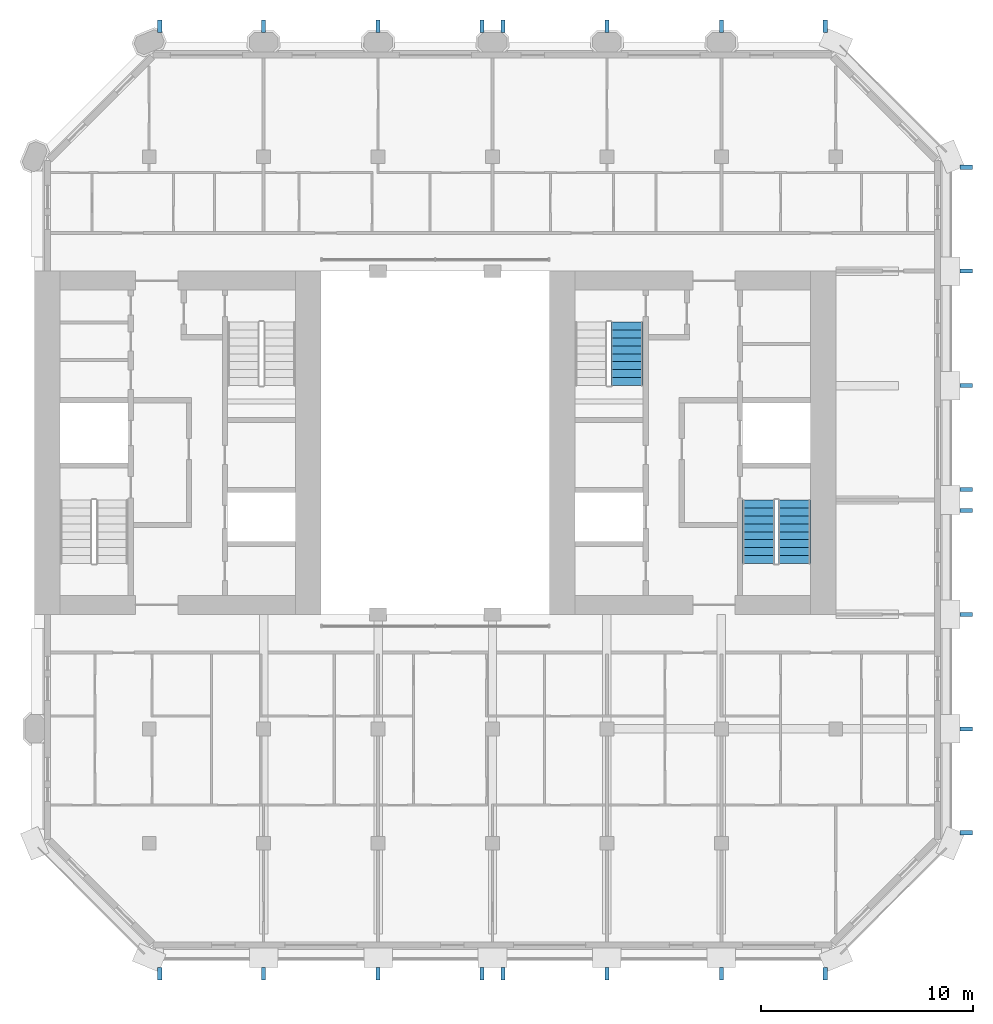
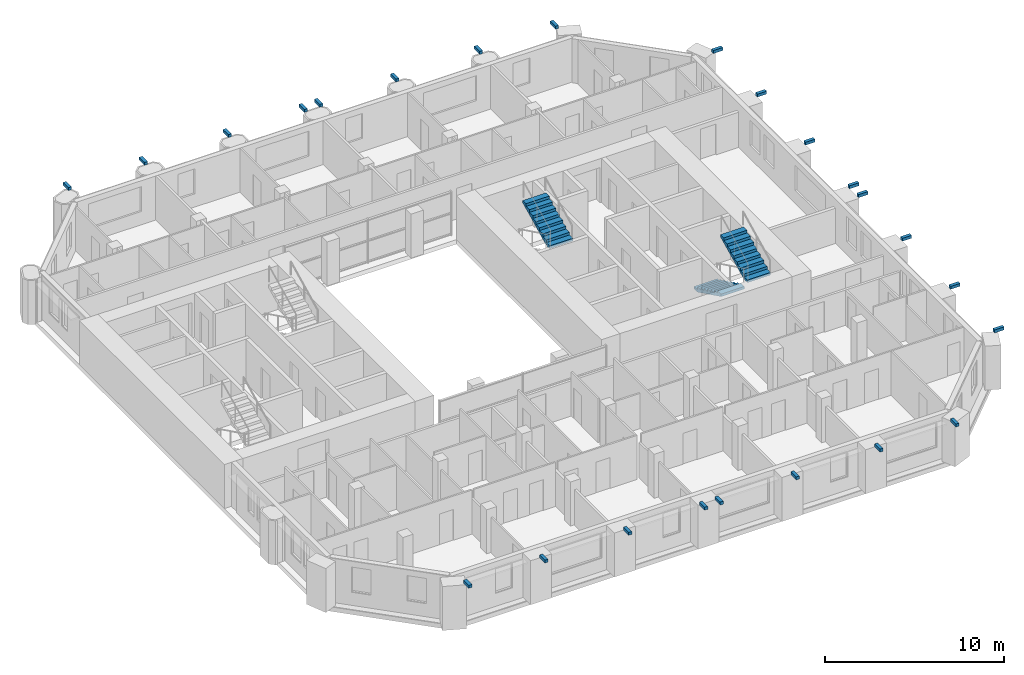
# One storey, part 12 of 14: 24 discrete accessories, 3 stair flights, 2 elements without a shape of their own.
"""IFC4 building model written with IfcOpenShell, lengths in metres."""

from ifc_helpers import new_model, si_unit, direction, frame, origin, origin_2d, place, context, subcontext, project, spatial, polyline, rectangle, outline, extrude, material, type_object, element, aggregate, save


model = new_model("IFC4")

# Units and contexts
model_context = context("Model", 3, precision=1e-05, world=origin(), true_north=direction((0.0, 1.0)))
body_context = subcontext(model_context, "Body", "Model", "MODEL_VIEW")
ifc_project = project(units=[si_unit("LENGTHUNIT", "METRE"), si_unit("AREAUNIT", "SQUARE_METRE"), si_unit("VOLUMEUNIT", "CUBIC_METRE"), si_unit("PLANEANGLEUNIT", "RADIAN"), si_unit("MASSUNIT", "GRAM", prefix="KILO")], contexts=[model_context])

# Site, building, storey
site_placement = place(None, origin())
site = spatial("IfcSite", under=ifc_project, at=site_placement, CompositionType="ELEMENT")
building_placement = place(site_placement, origin())
building = spatial("IfcBuilding", under=site, at=building_placement, Name="Tabaq Tower and Sports Hall", CompositionType="ELEMENT")
storey_placement = place(building_placement, frame((0.0, 0.0, 275.199951171875)))
storey = spatial("IfcBuildingStorey", under=building, at=storey_placement, Name="L67", CompositionType="ELEMENT", Elevation=275.199951171875)

# Stair, stair flights
ifc_material_1 = material(Name="Concrete C40/50", Category="concrete")
stair_type = type_object("IfcStairType", Name="Exit stair", PredefinedType="HALF_TURN_STAIR", material=ifc_material_1)
stair_1_placement = place(storey_placement, origin())
stair_1 = element("IfcStair", 1, at=stair_1_placement, inside=storey, type_object=stair_type, Name="L67 Exit stair ST3", PredefinedType="HALF_TURN_STAIR")
ifc_material_2 = material(Name="Concrete C40/50", Category="concrete")
stair_flight_type = type_object("IfcStairFlightType", Name="Exit stair flight", PredefinedType="STRAIGHT", material=ifc_material_2)
stair_flight_1_placement = place(storey_placement, frame((39.550048828125, 21.60009765625, 0.0), z_axis=(0.0, 0.0, 1.0), x_axis=(0.0, -1.0, 0.0)))
stair_flight_1 = element("IfcStairFlight", 2, at=stair_flight_1_placement, type_object=stair_flight_type, Name="ST3 flight 1", NumberOfRisers=9, NumberOfTreads=8, PredefinedType="STRAIGHT", RiserHeight=0.183333333, TreadLength=0.375, context=body_context, shape_type="SweptSolid", body=[
    extrude(outline(polyline([(0.0, 0.0), (0.0, 0.183349609375), (0.375, 0.183349609375), (0.375, 0.36669921875), (0.75, 0.36669921875), (0.75, 0.550048828125), (1.125, 0.550048828125), (1.125, 0.7333984375), (1.5, 0.7333984375), (1.5, 0.916748046875), (1.875, 0.916748046875), (1.875, 1.10009765625), (2.25, 1.10009765625), (2.25, 1.283447265625), (2.625, 1.283447265625), (2.625, 1.466552734375), (3.0, 1.466552734375), (3.0, 1.64990234375), (3.0, 1.2998046875), (0.34130859375, 0.0), (0.0, 0.0)])), frame((0.0, 0.75, 0.0), z_axis=(0.0, -1.0, 0.0), x_axis=(1.0, 0.0, 0.0)), (0.0, 0.0, 1.0), 1.5),
])
stair_flight_2_placement = place(storey_placement, frame((41.25, 18.60009765625, 1.650146484375), z_axis=(0.0, 0.0, 1.0), x_axis=(0.0, 1.0, 0.0)))
stair_flight_2 = element("IfcStairFlight", 3, at=stair_flight_2_placement, type_object=stair_flight_type, Name="ST3 flight 2", NumberOfRisers=9, NumberOfTreads=8, PredefinedType="STRAIGHT", RiserHeight=0.183333333, TreadLength=0.375, context=body_context, shape_type="SweptSolid", body=[
    extrude(outline(polyline([(0.0, 0.0), (0.0, 0.183349609375), (0.375, 0.183349609375), (0.375, 0.36669921875), (0.75, 0.36669921875), (0.75, 0.550048828125), (1.125, 0.550048828125), (1.125, 0.7333984375), (1.5, 0.7333984375), (1.5, 0.916748046875), (1.875, 0.916748046875), (1.875, 1.10009765625), (2.25, 1.10009765625), (2.25, 1.283447265625), (2.625, 1.283447265625), (2.625, 1.466552734375), (3.0, 1.466552734375), (3.0, 1.64990234375), (3.0, 1.2998046875), (0.34130859375, 0.0), (0.0, 0.0)])), frame((0.0, 0.75, 0.0), z_axis=(0.0, -1.0, 0.0), x_axis=(1.0, 0.0, 0.0)), (0.0, 0.0, 1.0), 1.5),
])
aggregate(stair_1, [stair_flight_1, stair_flight_2])

# Stair, stair flight
stair_2_placement = place(storey_placement, origin())
stair_2 = element("IfcStair", 4, at=stair_2_placement, inside=storey, type_object=stair_type, Name="L67 Exit stair ST4", PredefinedType="HALF_TURN_STAIR")
stair_flight_3_placement = place(storey_placement, frame((33.35009765625, 27.0, 1.650146484375), z_axis=(0.0, 0.0, 1.0), x_axis=(0.0, 1.0, 0.0)))
stair_flight_3 = element("IfcStairFlight", 5, at=stair_flight_3_placement, type_object=stair_flight_type, Name="ST4 flight 2", NumberOfRisers=9, NumberOfTreads=8, PredefinedType="STRAIGHT", RiserHeight=0.183333333, TreadLength=0.375, context=body_context, shape_type="SweptSolid", body=[
    extrude(outline(polyline([(0.0, 0.0), (0.0, 0.183349609375), (0.375, 0.183349609375), (0.375, 0.36669921875), (0.75, 0.36669921875), (0.75, 0.550048828125), (1.125, 0.550048828125), (1.125, 0.7333984375), (1.5, 0.7333984375), (1.5, 0.916748046875), (1.875, 0.916748046875), (1.875, 1.10009765625), (2.25, 1.10009765625), (2.25, 1.283447265625), (2.625, 1.283447265625), (2.625, 1.466552734375), (3.0, 1.466552734375), (3.0, 1.64990234375), (3.0, 1.2998046875), (0.34130859375, 0.0), (0.0, 0.0)])), frame((0.0, 0.75, 0.0), z_axis=(0.0, -1.0, 0.0), x_axis=(1.0, 0.0, 0.0)), (0.0, 0.0, 1.0), 1.5),
])
aggregate(stair_2, [stair_flight_3])

# Discrete accessories
for number, where, z_axis, x_axis, name in (
    (6, (11.300048828125, -0.75, 3.0), (0.0, 0.0, 1.0), (0.0, -1.0, 0.0), "Stainless steel bracket"),
    (7, (16.199951171875, -0.75, 3.0), (0.0, 0.0, 1.0), (0.0, -1.0, 0.0), "Stainless steel bracket"),
    (8, (21.60009765625, -0.75, 3.0), (0.0, 0.0, 1.0), (0.0, -1.0, 0.0), "Stainless steel bracket"),
    (9, (26.5, -0.75, 3.0), (0.0, 0.0, 1.0), (0.0, -1.0, 0.0), "Stainless steel bracket"),
    (10, (27.5, -0.75, 3.0), (0.0, 0.0, 1.0), (0.0, -1.0, 0.0), "Stainless steel bracket"),
    (11, (32.39990234375, -0.75, 3.0), (0.0, 0.0, 1.0), (0.0, -1.0, 0.0), "Stainless steel bracket"),
    (12, (37.800048828125, -0.75, 3.0), (0.0, 0.0, 1.0), (0.0, -1.0, 0.0), "Stainless steel bracket"),
    (13, (42.699951171875, -0.75, 3.0), (0.0, 0.0, 1.0), (0.0, -1.0, 0.0), "Stainless steel bracket"),
    (14, (49.35009765625, 5.89990234375, 3.0), (0.0, 0.0, 1.0), (1.0, 0.0, 0.0), "Stainless steel bracket"),
    (15, (49.35009765625, 10.800048828125, 3.0), (0.0, 0.0, 1.0), (1.0, 0.0, 0.0), "Stainless steel bracket"),
    (16, (49.35009765625, 16.199951171875, 3.0), (0.0, 0.0, 1.0), (1.0, 0.0, 0.0), "Stainless steel bracket"),
    (17, (49.35009765625, 21.10009765625, 3.0), (0.0, 0.0, 1.0), (1.0, 0.0, 0.0), "Stainless steel bracket"),
    (18, (49.35009765625, 22.10009765625, 3.0), (0.0, 0.0, 1.0), (1.0, 0.0, 0.0), "Stainless steel bracket"),
    (19, (49.35009765625, 27.0, 3.0), (0.0, 0.0, 1.0), (1.0, 0.0, 0.0), "Stainless steel bracket"),
    (20, (49.35009765625, 32.39990234375, 3.0), (0.0, 0.0, 1.0), (1.0, 0.0, 0.0), "Stainless steel bracket"),
    (21, (49.35009765625, 37.300048828125, 3.0), (0.0, 0.0, 1.0), (1.0, 0.0, 0.0), "Stainless steel bracket"),
    (22, (42.699951171875, 43.949951171875, 3.0), (0.0, 0.0, 1.0), (0.0, 1.0, 0.0), "Stainless steel bracket"),
    (23, (37.800048828125, 43.949951171875, 3.0), (0.0, 0.0, 1.0), (0.0, 1.0, 0.0), "Stainless steel bracket"),
    (24, (32.39990234375, 43.949951171875, 3.0), (0.0, 0.0, 1.0), (0.0, 1.0, 0.0), "Stainless steel bracket"),
    (25, (27.5, 43.949951171875, 3.0), (0.0, 0.0, 1.0), (0.0, 1.0, 0.0), "Stainless steel bracket"),
    (26, (26.5, 43.949951171875, 3.0), (0.0, 0.0, 1.0), (0.0, 1.0, 0.0), "Stainless steel bracket"),
    (27, (21.60009765625, 43.949951171875, 3.0), (0.0, 0.0, 1.0), (0.0, 1.0, 0.0), "Stainless steel bracket"),
    (28, (16.199951171875, 43.949951171875, 3.0), (0.0, 0.0, 1.0), (0.0, 1.0, 0.0), "Stainless steel bracket"),
    (29, (11.300048828125, 43.949951171875, 3.0), (0.0, 0.0, 1.0), (0.0, 1.0, 0.0), "Stainless steel bracket"),
):
    element("IfcDiscreteAccessory", number, at=place(storey_placement, frame(where, z_axis=z_axis, x_axis=x_axis)), inside=storey, Name=name, PredefinedType="BRACKET", context=body_context, shape_type="SweptSolid", body=[
        extrude(rectangle(XDim=0.60009765625, YDim=0.199951171875, at=origin_2d()), origin(), (0.0, 0.0, 1.0), 0.199951171875),
    ])

save(model, "model.ifc")
